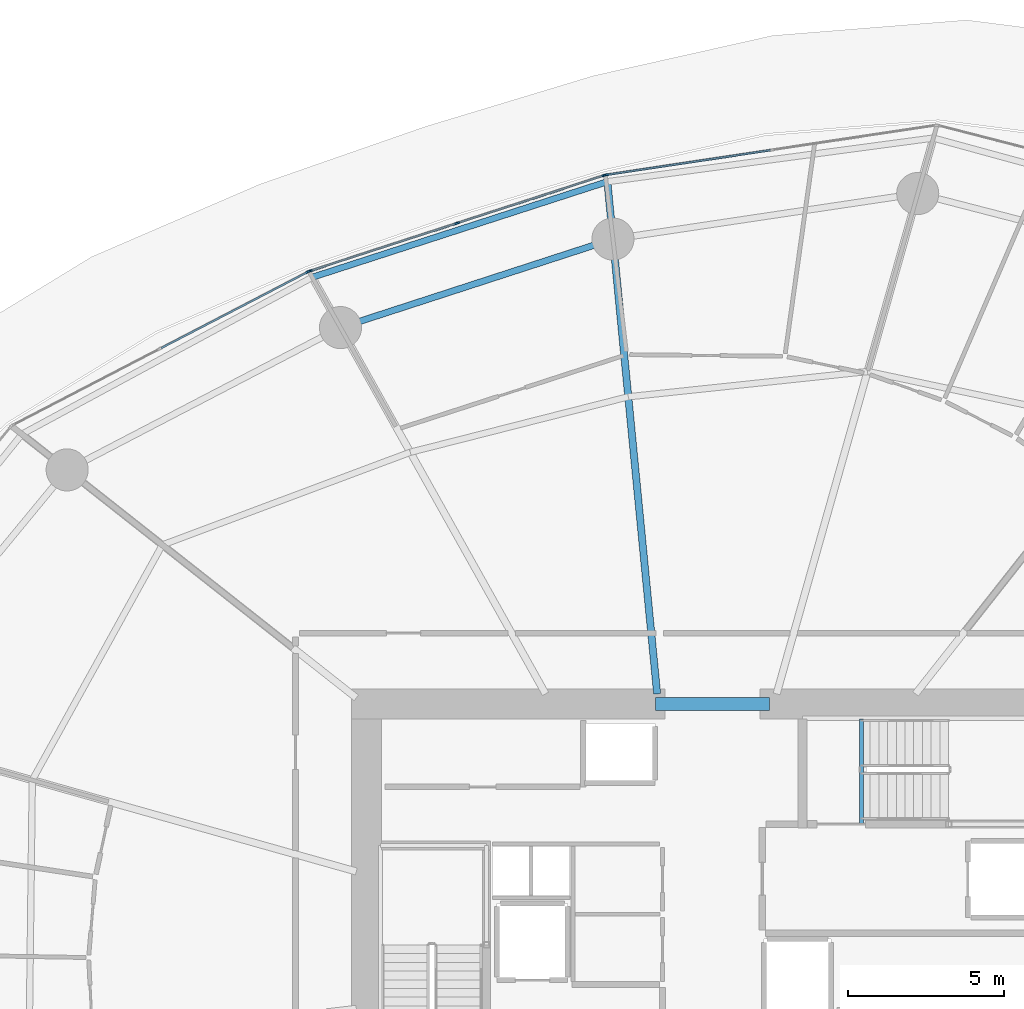
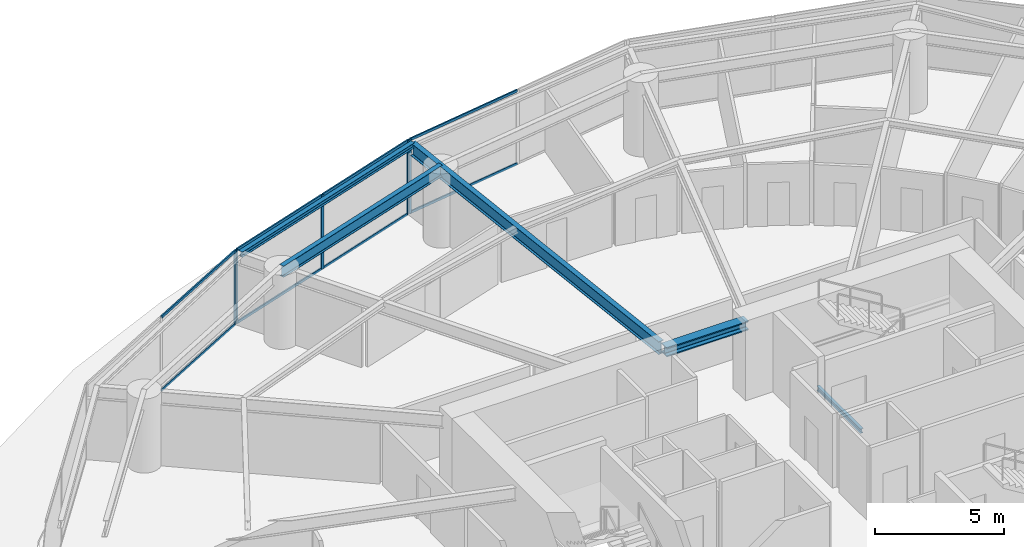
# One storey, part 12 of 22: 13 members, 5 beams, 3 elements without a shape of their own.
"""IFC4 building model written with IfcOpenShell, lengths in metres."""

from ifc_helpers import new_model, si_unit, direction, frame, origin, origin_2d, place, context, subcontext, project, spatial, rectangle, i_section, extrude, material, layer, layer_set, material_profile, profile_set, type_object, element, aggregate, save


model = new_model("IFC4")

# Units and contexts
model_context = context("Model", 3, precision=1e-05, world=origin(), true_north=direction((0.0, 1.0)))
body_context = subcontext(model_context, "Body", "Model", "MODEL_VIEW")
ifc_project = project(units=[si_unit("LENGTHUNIT", "METRE"), si_unit("AREAUNIT", "SQUARE_METRE"), si_unit("VOLUMEUNIT", "CUBIC_METRE"), si_unit("PLANEANGLEUNIT", "RADIAN"), si_unit("MASSUNIT", "GRAM", prefix="KILO")], contexts=[model_context])

# Site, building, storey
site_placement = place(None, origin())
site = spatial("IfcSite", under=ifc_project, at=site_placement, CompositionType="ELEMENT")
building_placement = place(site_placement, origin())
building = spatial("IfcBuilding", under=site, at=building_placement, Name="Kazma Halo Residences", CompositionType="ELEMENT")
storey_placement = place(building_placement, frame((0.0, 0.0, 26.39990234375)))
storey = spatial("IfcBuildingStorey", under=building, at=storey_placement, Name="L05", CompositionType="ELEMENT", Elevation=26.39990234375)

# Beams
ifc_material_1 = material(Name="Steel S355", Category="steel")
ifc_material_profile_1 = material_profile(ifc_material_1, i_section(OverallWidth=0.201904296875, OverallDepth=0.2470703125, WebThickness=0.00732421875, FlangeThickness=0.010986328125, FilletRadius=0.011962890625, at=origin_2d()), Name="W250x49.1")
ifc_profile_set_1 = profile_set([ifc_material_profile_1], Name="Steel S355")
beam_type_1 = type_object("IfcBeamType", Name="BM-BAL-CANT", PredefinedType="BEAM", material=ifc_profile_set_1)
beam_1_placement = place(storey_placement, frame((45.052734375, 67.230712890625, 3.376708984375), z_axis=(-0.951307246639, -0.308244257842, 0.0), x_axis=(0.308244257842, -0.951307246639, 0.0)))
element("IfcBeam", 1, at=beam_1_placement, inside=storey, type_object=beam_type_1, Name="L05 wave-balcony tie beam 04", PredefinedType="BEAM", context=body_context, shape_type="SweptSolid", body=[
    extrude(i_section(OverallWidth=0.201904296875, OverallDepth=0.2470703125, WebThickness=0.00732421875, FlangeThickness=0.010986328125, FilletRadius=0.011962890625, at=origin_2d()), origin(), (0.0, 0.0, 1.0), 9.949462890625),
])
ifc_material_profile_2 = material_profile(ifc_material_1, i_section(OverallWidth=0.408935546875, OverallDepth=0.425048828125, WebThickness=0.03271484375, FlangeThickness=0.052490234375, FilletRadius=0.02001953125, at=origin_2d()), Name="W360x421")
ifc_profile_set_2 = profile_set([ifc_material_profile_2], Name="Steel S355")
beam_type_2 = type_object("IfcBeamType", Name="BM-CORE-W360H", PredefinedType="BEAM", material=ifc_profile_set_2)
beam_2_placement = place(storey_placement, frame((46.60009765625, 50.47509765625, 3.28759765625), z_axis=(1.0, 0.0, 0.0), x_axis=(0.0, 1.0, 0.0)))
element("IfcBeam", 2, at=beam_2_placement, inside=storey, type_object=beam_type_2, Name="L05 core coupling beam N", PredefinedType="BEAM", context=body_context, shape_type="SweptSolid", body=[
    extrude(i_section(OverallWidth=0.408935546875, OverallDepth=0.425048828125, WebThickness=0.03271484375, FlangeThickness=0.052490234375, FilletRadius=0.02001953125, at=origin_2d()), origin(), (0.0, 0.0, 1.0), 3.64990234375),
])
ifc_material_profile_3 = material_profile(ifc_material_1, i_section(OverallWidth=0.22802734375, OverallDepth=0.60791015625, WebThickness=0.01123046875, FlangeThickness=0.017333984375, FilletRadius=0.01806640625, at=origin_2d()), Name="W610x113")
ifc_profile_set_3 = profile_set([ifc_material_profile_3], Name="Steel S355")
beam_type_3 = type_object("IfcBeamType", Name="BM-RAD-W610", PredefinedType="BEAM", material=ifc_profile_set_3)
beam_3_placement = place(storey_placement, frame((46.64990234375, 50.800048828125, 3.196044921875), z_axis=(-0.096750509471, 0.995308665147, 0.0), x_axis=(-0.995308665147, -0.096750509471, 0.0)))
element("IfcBeam", 3, at=beam_3_placement, inside=storey, type_object=beam_type_3, Name="L05 radial floor beam 04", PredefinedType="BEAM", context=body_context, shape_type="SweptSolid", body=[
    extrude(i_section(OverallWidth=0.22802734375, OverallDepth=0.60791015625, WebThickness=0.01123046875, FlangeThickness=0.017333984375, FilletRadius=0.01806640625, at=origin_2d()), origin(), (0.0, 0.0, 1.0), 16.508056640625),
])
ifc_material_profile_4 = material_profile(ifc_material_1, i_section(OverallWidth=0.208984375, OverallDepth=0.532958984375, WebThickness=0.01025390625, FlangeThickness=0.015625, FilletRadius=0.01611328125, at=origin_2d()), Name="W530x92")
ifc_profile_set_4 = profile_set([ifc_material_profile_4], Name="Steel S355")
beam_type_4 = type_object("IfcBeamType", Name="BM-SPN-W530", PredefinedType="BEAM", material=ifc_profile_set_4)
beam_4_placement = place(storey_placement, frame((45.231689453125, 65.389404296875, 3.233642578125), z_axis=(-0.951054956346, -0.309021795363, 0.0), x_axis=(0.309021795363, -0.951054956346, 0.0)))
element("IfcBeam", 4, at=beam_4_placement, inside=storey, type_object=beam_type_4, Name="L05 perimeter ring beam 04", PredefinedType="BEAM", context=body_context, shape_type="SweptSolid", body=[
    extrude(i_section(OverallWidth=0.208984375, OverallDepth=0.532958984375, WebThickness=0.01025390625, FlangeThickness=0.015625, FilletRadius=0.01611328125, at=origin_2d()), origin(), (0.0, 0.0, 1.0), 9.189697265625),
])
ifc_material_profile_5 = material_profile(ifc_material_1, i_section(OverallWidth=0.133056640625, OverallDepth=0.20703125, WebThickness=0.005859375, FlangeThickness=0.00830078125, FilletRadius=0.010009765625, at=origin_2d()), Name="W200x26.6")
ifc_profile_set_5 = profile_set([ifc_material_profile_5], Name="Steel S355")
beam_type_5 = type_object("IfcBeamType", Name="BM-TRIM-W200", PredefinedType="BEAM", material=ifc_profile_set_5)
beam_5_placement = place(storey_placement, frame((53.199951171875, 46.6201171875, -0.510009765625), z_axis=(0.0, 1.0, 0.0), x_axis=(-1.0, 0.0, 0.0)))
element("IfcBeam", 5, at=beam_5_placement, inside=storey, type_object=beam_type_5, Name="L05 ST-02 floor landing support beam", PredefinedType="BEAM", context=body_context, shape_type="SweptSolid", body=[
    extrude(i_section(OverallWidth=0.133056640625, OverallDepth=0.20703125, WebThickness=0.005859375, FlangeThickness=0.00830078125, FilletRadius=0.010009765625, at=origin_2d()), origin(), (0.0, 0.0, 1.0), 3.3798828125),
])

# Curtain wall, member
ifc_material_2 = material(Name="Aluminium AW-6063 T6 and Triple-Silver Low-E Glass", Category="aluminium")
ifc_layer = layer(ifc_material_2, 0.159912109375)
ifc_layer_set = layer_set([ifc_layer], Name="Aluminium AW-6063 T6 and Triple-Silver Low-E Glass")
curtain_wall_type = type_object("IfcCurtainWallType", Name="CW-SYS-2", PredefinedType="NOTDEFINED", material=ifc_layer_set)
curtain_wall_1_placement = place(storey_placement, origin())
curtain_wall_1 = element("IfcCurtainWall", 6, at=curtain_wall_1_placement, inside=storey, type_object=curtain_wall_type, Name="L05 unitised curtain wall B03", PredefinedType="NOTDEFINED")
ifc_material_3 = material(Name="Aluminium AW-6063 T6", Category="aluminium")
ifc_material_profile_6 = material_profile(ifc_material_3, rectangle(XDim=0.06005859375, YDim=0.159912109375, at=origin_2d()), Name="CWM-60x160")
ifc_profile_set_6 = profile_set([ifc_material_profile_6], Name="Aluminium AW-6063 T6")
member_type_1 = type_object("IfcMemberType", Name="CW-SYS-2-MUL", PredefinedType="MULLION", material=ifc_profile_set_6)
member_1_placement = place(storey_placement, frame((45.018310546875, 67.447509765625, 0.0), z_axis=(0.0, 0.0, 1.0), x_axis=(0.148657272805, -0.988888777994, 0.0)))
member_1 = element("IfcMember", 7, at=member_1_placement, type_object=member_type_1, Name="CWS-2 mullion 3", PredefinedType="MULLION", context=body_context, shape_type="SweptSolid", body=[
    extrude(rectangle(XDim=0.06005859375, YDim=0.159912109375, at=origin_2d()), origin(), (0.0, 0.0, 1.0), 3.5),
])

# Curtain wall, members
curtain_wall_2_placement = place(storey_placement, origin())
curtain_wall_2 = element("IfcCurtainWall", 8, at=curtain_wall_2_placement, inside=storey, type_object=curtain_wall_type, Name="L05 unitised curtain wall B04", PredefinedType="NOTDEFINED")
member_2_placement = place(storey_placement, frame((44.9599609375, 67.433837890625, 0.0), z_axis=(0.0, 0.0, 1.0), x_axis=(0.309013237605, -0.951057736935, 0.0)))
member_2 = element("IfcMember", 9, at=member_2_placement, type_object=member_type_1, Name="CWS-2 mullion 1", PredefinedType="MULLION", context=body_context, shape_type="SweptSolid", body=[
    extrude(rectangle(XDim=0.06005859375, YDim=0.159912109375, at=origin_2d()), origin(), (0.0, 0.0, 1.0), 3.5),
])
member_3_placement = place(storey_placement, frame((40.23486328125, 65.8984375, 0.0), z_axis=(0.0, 0.0, 1.0), x_axis=(0.309013237605, -0.951057736935, 0.0)))
member_3 = element("IfcMember", 10, at=member_3_placement, type_object=member_type_1, Name="CWS-2 mullion 2", PredefinedType="MULLION", context=body_context, shape_type="SweptSolid", body=[
    extrude(rectangle(XDim=0.06005859375, YDim=0.159912109375, at=origin_2d()), origin(), (0.0, 0.0, 1.0), 3.5),
])
member_4_placement = place(storey_placement, frame((35.509765625, 64.36328125, 0.0), z_axis=(0.0, 0.0, 1.0), x_axis=(0.309013237605, -0.951057736935, 0.0)))
member_4 = element("IfcMember", 11, at=member_4_placement, type_object=member_type_1, Name="CWS-2 mullion 3", PredefinedType="MULLION", context=body_context, shape_type="SweptSolid", body=[
    extrude(rectangle(XDim=0.06005859375, YDim=0.159912109375, at=origin_2d()), origin(), (0.0, 0.0, 1.0), 3.5),
])

# Curtain wall, member
curtain_wall_3_placement = place(storey_placement, origin())
curtain_wall_3 = element("IfcCurtainWall", 12, at=curtain_wall_3_placement, inside=storey, type_object=curtain_wall_type, Name="L05 unitised curtain wall B05", PredefinedType="NOTDEFINED")
member_5_placement = place(storey_placement, frame((35.45458984375, 64.340087890625, 0.0), z_axis=(0.0, 0.0, 1.0), x_axis=(0.460995912628, -0.887402258584, 0.0)))
member_5 = element("IfcMember", 13, at=member_5_placement, type_object=member_type_1, Name="CWS-2 mullion 1", PredefinedType="MULLION", context=body_context, shape_type="SweptSolid", body=[
    extrude(rectangle(XDim=0.06005859375, YDim=0.159912109375, at=origin_2d()), origin(), (0.0, 0.0, 1.0), 3.5),
])

# Member
ifc_material_profile_7 = material_profile(ifc_material_3, rectangle(XDim=0.06005859375, YDim=0.1201171875, at=origin_2d()), Name="CWT-60x120")
ifc_profile_set_7 = profile_set([ifc_material_profile_7], Name="Aluminium AW-6063 T6")
member_type_2 = type_object("IfcMemberType", Name="CW-SYS-2-TRN", PredefinedType="USERDEFINED", material=ifc_profile_set_7)
member_6_placement = place(storey_placement, frame((50.278076171875, 68.238037109375, 0.030029296875), z_axis=(-0.98889195415, -0.148636143041, 0.0), x_axis=(0.148636143041, -0.98889195415, 0.0)))
member_6 = element("IfcMember", 14, at=member_6_placement, type_object=member_type_2, Name="CWS-2 transom 2.1", ObjectType="TRANSOM", PredefinedType="USERDEFINED", context=body_context, shape_type="SweptSolid", body=[
    extrude(rectangle(XDim=0.06005859375, YDim=0.1201171875, at=origin_2d()), origin(), (0.0, 0.0, 1.0), 5.2890625),
])

member_7_placement = place(storey_placement, frame((50.278076171875, 68.238037109375, 3.47021484375), z_axis=(-0.98889195415, -0.148636143041, 0.0), x_axis=(0.148636143041, -0.98889195415, 0.0)))
member_7 = element("IfcMember", 15, at=member_7_placement, type_object=member_type_2, Name="CWS-2 transom 2.2", ObjectType="TRANSOM", PredefinedType="USERDEFINED", context=body_context, shape_type="SweptSolid", body=[
    extrude(rectangle(XDim=0.06005859375, YDim=0.1201171875, at=origin_2d()), origin(), (0.0, 0.0, 1.0), 5.2890625),
])

aggregate(curtain_wall_1, [member_1, member_6, member_7])

member_8_placement = place(storey_placement, frame((44.931640625, 67.424560546875, 0.030029296875), z_axis=(-0.951053439365, -0.309026464033, 0.0), x_axis=(0.309026464033, -0.951053439365, 0.0)))
member_8 = element("IfcMember", 16, at=member_8_placement, type_object=member_type_2, Name="CWS-2 transom 1.1", ObjectType="TRANSOM", PredefinedType="USERDEFINED", context=body_context, shape_type="SweptSolid", body=[
    extrude(rectangle(XDim=0.06005859375, YDim=0.1201171875, at=origin_2d()), origin(), (0.0, 0.0, 1.0), 4.908447265625),
])

member_9_placement = place(storey_placement, frame((44.931640625, 67.424560546875, 3.47021484375), z_axis=(-0.951053439365, -0.309026464033, 0.0), x_axis=(0.309026464033, -0.951053439365, 0.0)))
member_9 = element("IfcMember", 17, at=member_9_placement, type_object=member_type_2, Name="CWS-2 transom 1.2", ObjectType="TRANSOM", PredefinedType="USERDEFINED", context=body_context, shape_type="SweptSolid", body=[
    extrude(rectangle(XDim=0.06005859375, YDim=0.1201171875, at=origin_2d()), origin(), (0.0, 0.0, 1.0), 4.908447265625),
])

member_10_placement = place(storey_placement, frame((40.206298828125, 65.88916015625, 0.030029296875), z_axis=(-0.951063307819, -0.308996091432, 0.0), x_axis=(0.308996091432, -0.951063307819, 0.0)))
member_10 = element("IfcMember", 18, at=member_10_placement, type_object=member_type_2, Name="CWS-2 transom 2.1", ObjectType="TRANSOM", PredefinedType="USERDEFINED", context=body_context, shape_type="SweptSolid", body=[
    extrude(rectangle(XDim=0.06005859375, YDim=0.1201171875, at=origin_2d()), origin(), (0.0, 0.0, 1.0), 4.908203125),
])

member_11_placement = place(storey_placement, frame((40.206298828125, 65.88916015625, 3.47021484375), z_axis=(-0.951063307819, -0.308996091432, 0.0), x_axis=(0.308996091432, -0.951063307819, 0.0)))
member_11 = element("IfcMember", 19, at=member_11_placement, type_object=member_type_2, Name="CWS-2 transom 2.2", ObjectType="TRANSOM", PredefinedType="USERDEFINED", context=body_context, shape_type="SweptSolid", body=[
    extrude(rectangle(XDim=0.06005859375, YDim=0.1201171875, at=origin_2d()), origin(), (0.0, 0.0, 1.0), 4.908203125),
])

aggregate(curtain_wall_2, [member_2, member_3, member_4, member_8, member_9, member_10, member_11])

member_12_placement = place(storey_placement, frame((35.427978515625, 64.326171875, 0.030029296875), z_axis=(-0.887414738583, -0.460971888238, 0.0), x_axis=(0.460971888238, -0.887414738583, 0.0)))
member_12 = element("IfcMember", 20, at=member_12_placement, type_object=member_type_2, Name="CWS-2 transom 1.1", ObjectType="TRANSOM", PredefinedType="USERDEFINED", context=body_context, shape_type="SweptSolid", body=[
    extrude(rectangle(XDim=0.06005859375, YDim=0.1201171875, at=origin_2d()), origin(), (0.0, 0.0, 1.0), 5.288818359375),
])

member_13_placement = place(storey_placement, frame((35.427978515625, 64.326171875, 3.47021484375), z_axis=(-0.887414738583, -0.460971888238, 0.0), x_axis=(0.460971888238, -0.887414738583, 0.0)))
member_13 = element("IfcMember", 21, at=member_13_placement, type_object=member_type_2, Name="CWS-2 transom 1.2", ObjectType="TRANSOM", PredefinedType="USERDEFINED", context=body_context, shape_type="SweptSolid", body=[
    extrude(rectangle(XDim=0.06005859375, YDim=0.1201171875, at=origin_2d()), origin(), (0.0, 0.0, 1.0), 5.288818359375),
])

aggregate(curtain_wall_3, [member_5, member_12, member_13])

save(model, "model.ifc")
